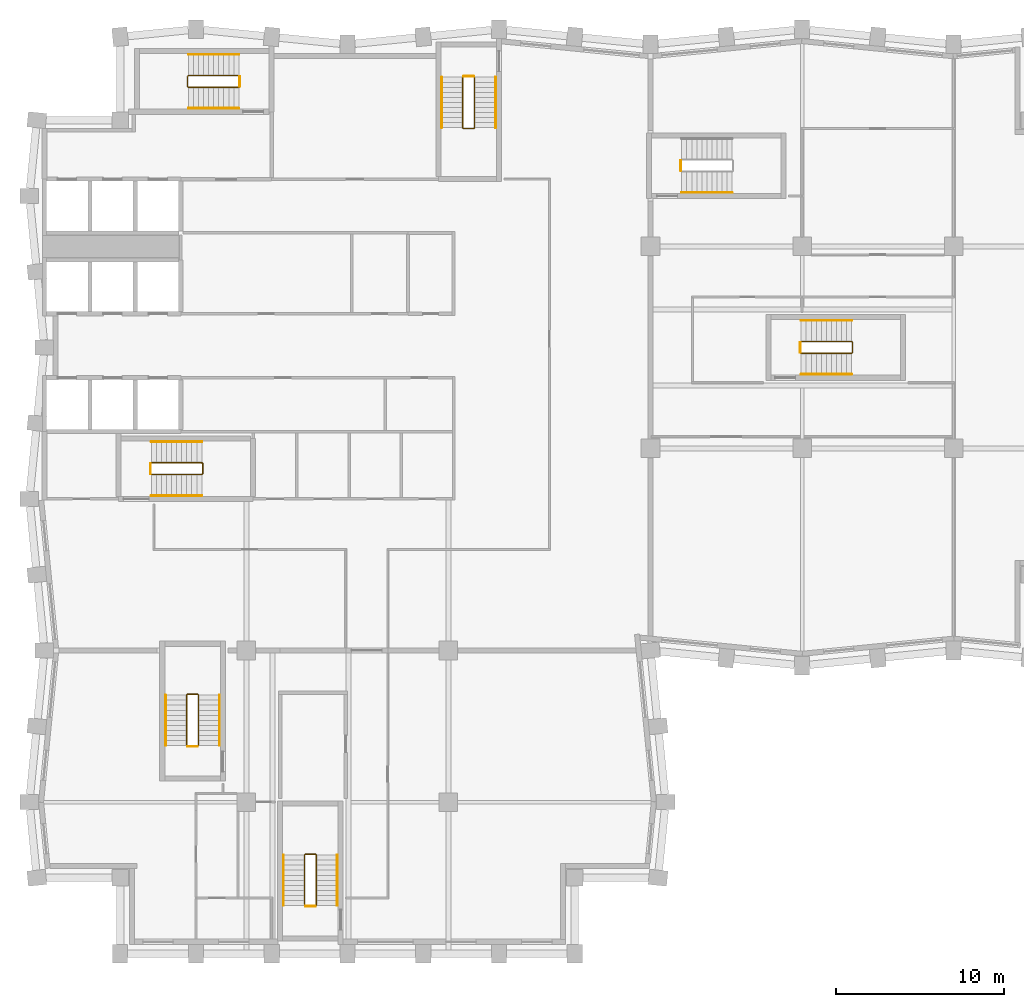
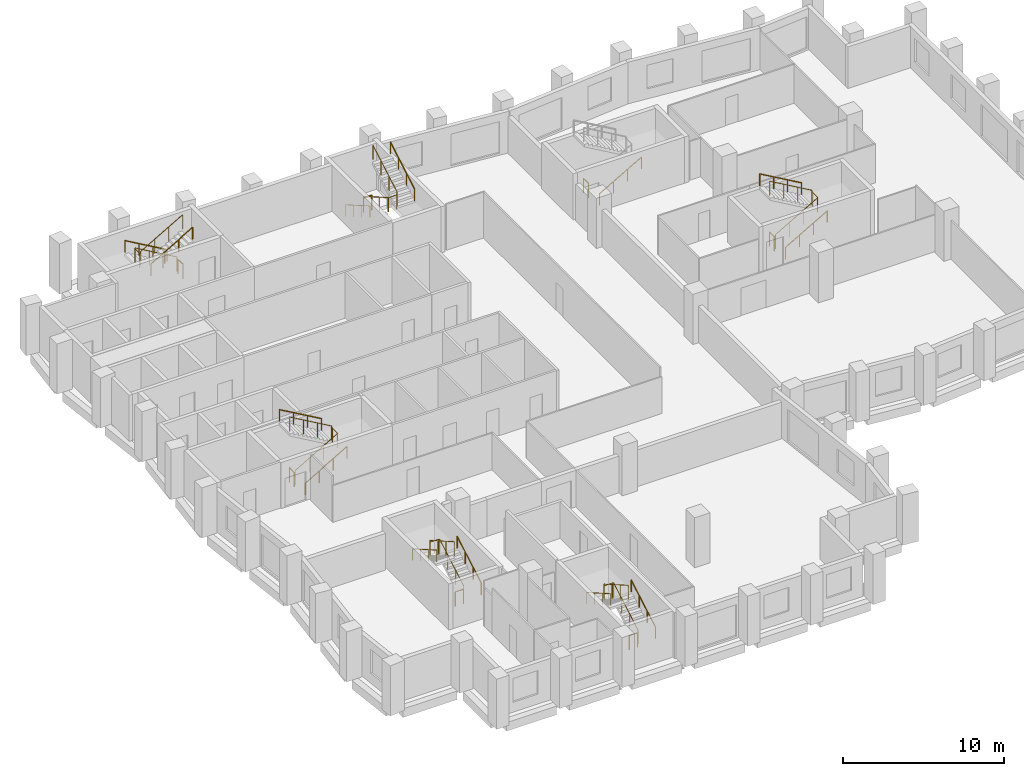
# One storey, part 9 of 10: 26 railings.
"""IFC4 building model written with IfcOpenShell, lengths in metres."""

from ifc_helpers import new_model, si_unit, direction, frame, origin, origin_2d, place, context, subcontext, project, spatial, circle, extrude, material, type_object, element, save


model = new_model("IFC4")

# Units and contexts
model_context = context("Model", 3, precision=1e-05, world=origin(), true_north=direction((0.0, 1.0)))
body_context = subcontext(model_context, "Body", "Model", "MODEL_VIEW")
ifc_project = project(units=[si_unit("LENGTHUNIT", "METRE"), si_unit("AREAUNIT", "SQUARE_METRE"), si_unit("VOLUMEUNIT", "CUBIC_METRE"), si_unit("PLANEANGLEUNIT", "RADIAN"), si_unit("MASSUNIT", "GRAM", prefix="KILO")], contexts=[model_context])

# Site, building, storey
site_placement = place(None, origin())
site = spatial("IfcSite", under=ifc_project, at=site_placement, CompositionType="ELEMENT")
building_placement = place(site_placement, origin())
building = spatial("IfcBuilding", under=site, at=building_placement, Name="Brondeck Convention Tower", CompositionType="ELEMENT")
storey_placement = place(building_placement, frame((0.0, 0.0, 177.60009765625)))
storey = spatial("IfcBuildingStorey", under=building, at=storey_placement, Name="L43", CompositionType="ELEMENT", Elevation=177.60009765625)

# Railings
ifc_material = material(Name="Steel S355", Category="steel")
railing_type_1 = type_object("IfcRailingType", Name="Stair guard 1100", PredefinedType="GUARDRAIL", material=ifc_material)
railing_1_placement = place(storey_placement, frame((6.35009765625, 37.449951171875, 0.172607421875)))
element("IfcRailing", 1, at=railing_1_placement, inside=storey, type_object=railing_type_1, Name="L43 ST-1 stair guard 1", PredefinedType="GUARDRAIL", context=body_context, shape_type="SweptSolid", body=[
    extrude(circle(Radius=0.02392578125, at=origin_2d()), frame((0.0, 0.0, 1.076171875), z_axis=(0.866619684472, 0.0, 0.498969260062), x_axis=(0.0, 1.0, 0.0)), (0.0, 0.0, 1.0), 3.461669921875),
    extrude(circle(Radius=0.02392578125, at=origin_2d()), frame((3.0, 0.0, 2.80322265625), z_axis=(0.705375805398, 0.708833529934, 0.0), x_axis=(-0.708833529934, 0.705375805398, 0.0)), (0.0, 0.0, 1.0), 0.070556640625),
    extrude(circle(Radius=0.02392578125, at=origin_2d()), frame((3.0498046875, 0.050048828125, 2.80322265625), z_axis=(0.0, 1.0, 0.0), x_axis=(-1.0, 0.0, 0.0)), (0.0, 0.0, 1.0), 0.60009765625),
    extrude(circle(Radius=0.02392578125, at=origin_2d()), frame((3.0498046875, 0.650146484375, 2.80322265625), z_axis=(-0.26715648603, 0.26715648603, 0.925880566782), x_axis=(-0.707106781187, -0.707106781187, 0.0)), (0.0, 0.0, 1.0), 0.1865234375),
    extrude(circle(Radius=0.02392578125, at=origin_2d()), frame((3.0, 0.699951171875, 2.97607421875), z_axis=(-0.866619684472, 0.0, 0.498969260062), x_axis=(0.0, -1.0, 0.0)), (0.0, 0.0, 1.0), 3.461669921875),
    extrude(circle(Radius=0.02099609375, at=origin_2d()), origin(), (0.0, 0.0, 1.0), 1.052001953125),
    extrude(circle(Radius=0.02099609375, at=origin_2d()), frame((1.0, 0.0, 0.57568359375)), (0.0, 0.0, 1.0), 1.052001953125),
    extrude(circle(Radius=0.02099609375, at=origin_2d()), frame((2.0, 0.0, 1.151611328125)), (0.0, 0.0, 1.0), 1.052001953125),
    extrude(circle(Radius=0.02099609375, at=origin_2d()), frame((3.0, 0.0, 1.727294921875)), (0.0, 0.0, 1.0), 1.052001953125),
    extrude(circle(Radius=0.02099609375, at=origin_2d()), frame((3.0498046875, 0.050048828125, 1.727294921875)), (0.0, 0.0, 1.0), 1.052001953125),
    extrude(circle(Radius=0.02099609375, at=origin_2d()), frame((3.0498046875, 0.650146484375, 1.727294921875)), (0.0, 0.0, 1.0), 1.052001953125),
    extrude(circle(Radius=0.02099609375, at=origin_2d()), frame((3.0, 0.699951171875, 1.89990234375)), (0.0, 0.0, 1.0), 1.052001953125),
    extrude(circle(Radius=0.02099609375, at=origin_2d()), frame((2.0, 0.699951171875, 2.4755859375)), (0.0, 0.0, 1.0), 1.052001953125),
    extrude(circle(Radius=0.02099609375, at=origin_2d()), frame((1.0, 0.699951171875, 3.051513671875)), (0.0, 0.0, 1.0), 1.052001953125),
    extrude(circle(Radius=0.02099609375, at=origin_2d()), frame((0.0, 0.699951171875, 3.627197265625)), (0.0, 0.0, 1.0), 1.052001953125),
])
railing_2_placement = place(storey_placement, frame((6.300048828125, 37.5, 0.0)))
element("IfcRailing", 2, at=railing_2_placement, inside=storey, type_object=railing_type_1, Name="L43 ST-1 stair guard 2", PredefinedType="GUARDRAIL", context=body_context, shape_type="SweptSolid", body=[
    extrude(circle(Radius=0.02392578125, at=origin_2d()), frame((0.0, 0.0, 1.076171875), z_axis=(0.0, 1.0, 0.0), x_axis=(-1.0, 0.0, 0.0)), (0.0, 0.0, 1.0), 0.60009765625),
    extrude(circle(Radius=0.02099609375, at=origin_2d()), origin(), (0.0, 0.0, 1.0), 1.052001953125),
    extrude(circle(Radius=0.02099609375, at=origin_2d()), frame((0.0, 0.60009765625, 0.0)), (0.0, 0.0, 1.0), 1.052001953125),
])
railing_3_placement = place(storey_placement, frame((24.85009765625, 61.050048828125, 0.172607421875)))
element("IfcRailing", 3, at=railing_3_placement, inside=storey, type_object=railing_type_1, Name="L43 ST-2 stair guard 1", PredefinedType="GUARDRAIL", context=body_context, shape_type="SweptSolid", body=[
    extrude(circle(Radius=0.02392578125, at=origin_2d()), frame((0.0, 0.0, 1.076171875), z_axis=(0.0, -0.866619684472, 0.498969260062), x_axis=(1.0, 0.0, 0.0)), (0.0, 0.0, 1.0), 3.461669921875),
    extrude(circle(Radius=0.02392578125, at=origin_2d()), frame((0.0, -3.0, 2.80322265625), z_axis=(0.705375805398, -0.708833529934, 0.0), x_axis=(0.708833529934, 0.705375805398, 0.0)), (0.0, 0.0, 1.0), 0.070556640625),
    extrude(circle(Radius=0.02392578125, at=origin_2d()), frame((0.0498046875, -3.050048828125, 2.80322265625), z_axis=(1.0, 0.0, 0.0), x_axis=(0.0, 1.0, 0.0)), (0.0, 0.0, 1.0), 0.60009765625),
    extrude(circle(Radius=0.02392578125, at=origin_2d()), frame((0.64990234375, -3.050048828125, 2.80322265625), z_axis=(0.268277960024, 0.268277960024, 0.925231793839), x_axis=(-0.707106781187, 0.707106781187, 0.0)), (0.0, 0.0, 1.0), 0.1865234375),
    extrude(circle(Radius=0.02392578125, at=origin_2d()), frame((0.699951171875, -3.0, 2.97607421875), z_axis=(0.0, 0.866619684472, 0.498969260062), x_axis=(-1.0, 0.0, 0.0)), (0.0, 0.0, 1.0), 3.461669921875),
    extrude(circle(Radius=0.02099609375, at=origin_2d()), origin(), (0.0, 0.0, 1.0), 1.052001953125),
    extrude(circle(Radius=0.02099609375, at=origin_2d()), frame((0.0, -1.0, 0.57568359375)), (0.0, 0.0, 1.0), 1.052001953125),
    extrude(circle(Radius=0.02099609375, at=origin_2d()), frame((0.0, -2.0, 1.151611328125)), (0.0, 0.0, 1.0), 1.052001953125),
    extrude(circle(Radius=0.02099609375, at=origin_2d()), frame((0.0, -3.0, 1.727294921875)), (0.0, 0.0, 1.0), 1.052001953125),
    extrude(circle(Radius=0.02099609375, at=origin_2d()), frame((0.0498046875, -3.050048828125, 1.727294921875)), (0.0, 0.0, 1.0), 1.052001953125),
    extrude(circle(Radius=0.02099609375, at=origin_2d()), frame((0.64990234375, -3.050048828125, 1.727294921875)), (0.0, 0.0, 1.0), 1.052001953125),
    extrude(circle(Radius=0.02099609375, at=origin_2d()), frame((0.699951171875, -3.0, 1.89990234375)), (0.0, 0.0, 1.0), 1.052001953125),
    extrude(circle(Radius=0.02099609375, at=origin_2d()), frame((0.699951171875, -2.0, 2.4755859375)), (0.0, 0.0, 1.0), 1.052001953125),
    extrude(circle(Radius=0.02099609375, at=origin_2d()), frame((0.699951171875, -1.0, 3.051513671875)), (0.0, 0.0, 1.0), 1.052001953125),
    extrude(circle(Radius=0.02099609375, at=origin_2d()), frame((0.699951171875, 0.0, 3.627197265625)), (0.0, 0.0, 1.0), 1.052001953125),
])
railing_4_placement = place(storey_placement, frame((24.89990234375, 61.10009765625, 0.0)))
element("IfcRailing", 4, at=railing_4_placement, inside=storey, type_object=railing_type_1, Name="L43 ST-2 stair guard 2", PredefinedType="GUARDRAIL", context=body_context, shape_type="SweptSolid", body=[
    extrude(circle(Radius=0.02392578125, at=origin_2d()), frame((0.0, 0.0, 1.076171875), z_axis=(1.0, 0.0, 0.0), x_axis=(0.0, 1.0, 0.0)), (0.0, 0.0, 1.0), 0.60009765625),
    extrude(circle(Radius=0.02099609375, at=origin_2d()), origin(), (0.0, 0.0, 1.0), 1.052001953125),
    extrude(circle(Radius=0.02099609375, at=origin_2d()), frame((0.60009765625, 0.0, 0.0)), (0.0, 0.0, 1.0), 1.052001953125),
])
railing_5_placement = place(storey_placement, frame((11.550048828125, 61.14990234375, 0.172607421875)))
element("IfcRailing", 5, at=railing_5_placement, inside=storey, type_object=railing_type_1, Name="L43 ST-3 stair guard 1", PredefinedType="GUARDRAIL", context=body_context, shape_type="SweptSolid", body=[
    extrude(circle(Radius=0.02392578125, at=origin_2d()), frame((0.0, 0.0, 1.076171875), z_axis=(-0.866619684472, 0.0, 0.498969260062), x_axis=(0.0, -1.0, 0.0)), (0.0, 0.0, 1.0), 3.461669921875),
    extrude(circle(Radius=0.02392578125, at=origin_2d()), frame((-3.0, 0.0, 2.80322265625), z_axis=(-0.708833529934, -0.705375805398, 0.0), x_axis=(0.705375805398, -0.708833529934, 0.0)), (0.0, 0.0, 1.0), 0.070556640625),
    extrude(circle(Radius=0.02392578125, at=origin_2d()), frame((-3.050048828125, -0.0498046875, 2.80322265625), z_axis=(0.0, -1.0, 0.0), x_axis=(1.0, 0.0, 0.0)), (0.0, 0.0, 1.0), 0.60009765625),
    extrude(circle(Radius=0.02392578125, at=origin_2d()), frame((-3.050048828125, -0.64990234375, 2.80322265625), z_axis=(0.268277960024, -0.268277960024, 0.925231793839), x_axis=(0.707106781187, 0.707106781187, 0.0)), (0.0, 0.0, 1.0), 0.1865234375),
    extrude(circle(Radius=0.02392578125, at=origin_2d()), frame((-3.0, -0.699951171875, 2.97607421875), z_axis=(0.866619684472, 0.0, 0.498969260062), x_axis=(0.0, 1.0, 0.0)), (0.0, 0.0, 1.0), 3.461669921875),
    extrude(circle(Radius=0.02099609375, at=origin_2d()), origin(), (0.0, 0.0, 1.0), 1.052001953125),
    extrude(circle(Radius=0.02099609375, at=origin_2d()), frame((-1.0, 0.0, 0.57568359375)), (0.0, 0.0, 1.0), 1.052001953125),
    extrude(circle(Radius=0.02099609375, at=origin_2d()), frame((-2.0, 0.0, 1.151611328125)), (0.0, 0.0, 1.0), 1.052001953125),
    extrude(circle(Radius=0.02099609375, at=origin_2d()), frame((-3.0, 0.0, 1.727294921875)), (0.0, 0.0, 1.0), 1.052001953125),
    extrude(circle(Radius=0.02099609375, at=origin_2d()), frame((-3.050048828125, -0.0498046875, 1.727294921875)), (0.0, 0.0, 1.0), 1.052001953125),
    extrude(circle(Radius=0.02099609375, at=origin_2d()), frame((-3.050048828125, -0.64990234375, 1.727294921875)), (0.0, 0.0, 1.0), 1.052001953125),
    extrude(circle(Radius=0.02099609375, at=origin_2d()), frame((-3.0, -0.699951171875, 1.89990234375)), (0.0, 0.0, 1.0), 1.052001953125),
    extrude(circle(Radius=0.02099609375, at=origin_2d()), frame((-2.0, -0.699951171875, 2.4755859375)), (0.0, 0.0, 1.0), 1.052001953125),
    extrude(circle(Radius=0.02099609375, at=origin_2d()), frame((-1.0, -0.699951171875, 3.051513671875)), (0.0, 0.0, 1.0), 1.052001953125),
    extrude(circle(Radius=0.02099609375, at=origin_2d()), frame((0.0, -0.699951171875, 3.627197265625)), (0.0, 0.0, 1.0), 1.052001953125),
])
railing_6_placement = place(storey_placement, frame((11.60009765625, 61.10009765625, 0.0)))
element("IfcRailing", 6, at=railing_6_placement, inside=storey, type_object=railing_type_1, Name="L43 ST-3 stair guard 2", PredefinedType="GUARDRAIL", context=body_context, shape_type="SweptSolid", body=[
    extrude(circle(Radius=0.02392578125, at=origin_2d()), frame((0.0, 0.0, 1.076171875), z_axis=(0.0, -1.0, 0.0), x_axis=(1.0, 0.0, 0.0)), (0.0, 0.0, 1.0), 0.60009765625),
    extrude(circle(Radius=0.02099609375, at=origin_2d()), origin(), (0.0, 0.0, 1.0), 1.052001953125),
    extrude(circle(Radius=0.02099609375, at=origin_2d()), frame((0.0, -0.60009765625, 0.0)), (0.0, 0.0, 1.0), 1.052001953125),
])
railing_7_placement = place(storey_placement, frame((37.800048828125, 55.5, 0.0)))
element("IfcRailing", 7, at=railing_7_placement, inside=storey, type_object=railing_type_1, Name="L43 ST-AE stair guard 2", PredefinedType="GUARDRAIL", context=body_context, shape_type="SweptSolid", body=[
    extrude(circle(Radius=0.02392578125, at=origin_2d()), frame((0.0, 0.0, 1.076171875), z_axis=(0.0, 1.0, 0.0), x_axis=(-1.0, 0.0, 0.0)), (0.0, 0.0, 1.0), 0.60009765625),
    extrude(circle(Radius=0.02099609375, at=origin_2d()), origin(), (0.0, 0.0, 1.0), 1.052001953125),
    extrude(circle(Radius=0.02099609375, at=origin_2d()), frame((0.0, 0.60009765625, 0.0)), (0.0, 0.0, 1.0), 1.052001953125),
])
railing_8_placement = place(storey_placement, frame((9.14990234375, 21.35009765625, 0.172607421875)))
element("IfcRailing", 8, at=railing_8_placement, inside=storey, type_object=railing_type_1, Name="L43 ST-BE stair guard 1", PredefinedType="GUARDRAIL", context=body_context, shape_type="SweptSolid", body=[
    extrude(circle(Radius=0.02392578125, at=origin_2d()), frame((0.0, 0.0, 1.076171875), z_axis=(0.0, 0.866619684472, 0.498969260062), x_axis=(-1.0, 0.0, 0.0)), (0.0, 0.0, 1.0), 3.461669921875),
    extrude(circle(Radius=0.02392578125, at=origin_2d()), frame((0.0, 3.0, 2.80322265625), z_axis=(-0.707106781187, 0.707106781187, 0.0), x_axis=(-0.707106781187, -0.707106781187, 0.0)), (0.0, 0.0, 1.0), 0.0703125),
    extrude(circle(Radius=0.02392578125, at=origin_2d()), frame((-0.0498046875, 3.0498046875, 2.80322265625), z_axis=(-1.0, 0.0, 0.0), x_axis=(0.0, -1.0, 0.0)), (0.0, 0.0, 1.0), 0.60009765625),
    extrude(circle(Radius=0.02392578125, at=origin_2d()), frame((-0.64990234375, 3.0498046875, 2.80322265625), z_axis=(-0.268371968888, -0.267062837333, 0.925556009775), x_axis=(0.705375805398, -0.708833529934, 0.0)), (0.0, 0.0, 1.0), 0.1865234375),
    extrude(circle(Radius=0.02392578125, at=origin_2d()), frame((-0.699951171875, 3.0, 2.97607421875), z_axis=(0.0, -0.866619684472, 0.498969260062), x_axis=(1.0, 0.0, 0.0)), (0.0, 0.0, 1.0), 3.461669921875),
    extrude(circle(Radius=0.02099609375, at=origin_2d()), origin(), (0.0, 0.0, 1.0), 1.052001953125),
    extrude(circle(Radius=0.02099609375, at=origin_2d()), frame((0.0, 1.0, 0.57568359375)), (0.0, 0.0, 1.0), 1.052001953125),
    extrude(circle(Radius=0.02099609375, at=origin_2d()), frame((0.0, 2.0, 1.151611328125)), (0.0, 0.0, 1.0), 1.052001953125),
    extrude(circle(Radius=0.02099609375, at=origin_2d()), frame((0.0, 3.0, 1.727294921875)), (0.0, 0.0, 1.0), 1.052001953125),
    extrude(circle(Radius=0.02099609375, at=origin_2d()), frame((-0.0498046875, 3.0498046875, 1.727294921875)), (0.0, 0.0, 1.0), 1.052001953125),
    extrude(circle(Radius=0.02099609375, at=origin_2d()), frame((-0.64990234375, 3.0498046875, 1.727294921875)), (0.0, 0.0, 1.0), 1.052001953125),
    extrude(circle(Radius=0.02099609375, at=origin_2d()), frame((-0.699951171875, 3.0, 1.89990234375)), (0.0, 0.0, 1.0), 1.052001953125),
    extrude(circle(Radius=0.02099609375, at=origin_2d()), frame((-0.699951171875, 2.0, 2.4755859375)), (0.0, 0.0, 1.0), 1.052001953125),
    extrude(circle(Radius=0.02099609375, at=origin_2d()), frame((-0.699951171875, 1.0, 3.051513671875)), (0.0, 0.0, 1.0), 1.052001953125),
    extrude(circle(Radius=0.02099609375, at=origin_2d()), frame((-0.699951171875, 0.0, 3.627197265625)), (0.0, 0.0, 1.0), 1.052001953125),
])
railing_9_placement = place(storey_placement, frame((9.10009765625, 21.300048828125, 0.0)))
element("IfcRailing", 9, at=railing_9_placement, inside=storey, type_object=railing_type_1, Name="L43 ST-BE stair guard 2", PredefinedType="GUARDRAIL", context=body_context, shape_type="SweptSolid", body=[
    extrude(circle(Radius=0.02392578125, at=origin_2d()), frame((0.0, 0.0, 1.076171875), z_axis=(-1.0, 0.0, 0.0), x_axis=(0.0, -1.0, 0.0)), (0.0, 0.0, 1.0), 0.60009765625),
    extrude(circle(Radius=0.02099609375, at=origin_2d()), origin(), (0.0, 0.0, 1.0), 1.052001953125),
    extrude(circle(Radius=0.02099609375, at=origin_2d()), frame((-0.60009765625, 0.0, 0.0)), (0.0, 0.0, 1.0), 1.052001953125),
])
railing_10_placement = place(storey_placement, frame((44.949951171875, 44.64990234375, 0.172607421875)))
element("IfcRailing", 10, at=railing_10_placement, inside=storey, type_object=railing_type_1, Name="L43 ST-AF stair guard 1", PredefinedType="GUARDRAIL", context=body_context, shape_type="SweptSolid", body=[
    extrude(circle(Radius=0.02392578125, at=origin_2d()), frame((0.0, 0.0, 1.076171875), z_axis=(0.866619684472, 0.0, 0.498969260062), x_axis=(0.0, 1.0, 0.0)), (0.0, 0.0, 1.0), 3.461669921875),
    extrude(circle(Radius=0.02392578125, at=origin_2d()), frame((3.0, 0.0, 2.80322265625), z_axis=(0.707106781187, 0.707106781187, 0.0), x_axis=(-0.707106781187, 0.707106781187, 0.0)), (0.0, 0.0, 1.0), 0.07080078125),
    extrude(circle(Radius=0.02392578125, at=origin_2d()), frame((3.050048828125, 0.050048828125, 2.80322265625), z_axis=(0.0, 1.0, 0.0), x_axis=(-1.0, 0.0, 0.0)), (0.0, 0.0, 1.0), 0.60009765625),
    extrude(circle(Radius=0.02392578125, at=origin_2d()), frame((3.050048828125, 0.650146484375, 2.80322265625), z_axis=(-0.268277960024, 0.268277960024, 0.925231793839), x_axis=(-0.707106781187, -0.707106781187, 0.0)), (0.0, 0.0, 1.0), 0.1865234375),
    extrude(circle(Radius=0.02392578125, at=origin_2d()), frame((3.0, 0.7001953125, 2.97607421875), z_axis=(-0.866619684472, 0.0, 0.498969260062), x_axis=(0.0, -1.0, 0.0)), (0.0, 0.0, 1.0), 3.461669921875),
    extrude(circle(Radius=0.02099609375, at=origin_2d()), origin(), (0.0, 0.0, 1.0), 1.052001953125),
    extrude(circle(Radius=0.02099609375, at=origin_2d()), frame((1.0, 0.0, 0.57568359375)), (0.0, 0.0, 1.0), 1.052001953125),
    extrude(circle(Radius=0.02099609375, at=origin_2d()), frame((2.0, 0.0, 1.151611328125)), (0.0, 0.0, 1.0), 1.052001953125),
    extrude(circle(Radius=0.02099609375, at=origin_2d()), frame((3.0, 0.0, 1.727294921875)), (0.0, 0.0, 1.0), 1.052001953125),
    extrude(circle(Radius=0.02099609375, at=origin_2d()), frame((3.050048828125, 0.050048828125, 1.727294921875)), (0.0, 0.0, 1.0), 1.052001953125),
    extrude(circle(Radius=0.02099609375, at=origin_2d()), frame((3.050048828125, 0.650146484375, 1.727294921875)), (0.0, 0.0, 1.0), 1.052001953125),
    extrude(circle(Radius=0.02099609375, at=origin_2d()), frame((3.0, 0.7001953125, 1.89990234375)), (0.0, 0.0, 1.0), 1.052001953125),
    extrude(circle(Radius=0.02099609375, at=origin_2d()), frame((2.0, 0.7001953125, 2.4755859375)), (0.0, 0.0, 1.0), 1.052001953125),
    extrude(circle(Radius=0.02099609375, at=origin_2d()), frame((1.0, 0.7001953125, 3.051513671875)), (0.0, 0.0, 1.0), 1.052001953125),
    extrude(circle(Radius=0.02099609375, at=origin_2d()), frame((0.0, 0.7001953125, 3.627197265625)), (0.0, 0.0, 1.0), 1.052001953125),
])
railing_11_placement = place(storey_placement, frame((44.89990234375, 44.699951171875, 0.0)))
element("IfcRailing", 11, at=railing_11_placement, inside=storey, type_object=railing_type_1, Name="L43 ST-AF stair guard 2", PredefinedType="GUARDRAIL", context=body_context, shape_type="SweptSolid", body=[
    extrude(circle(Radius=0.02392578125, at=origin_2d()), frame((0.0, 0.0, 1.076171875), z_axis=(0.0, 1.0, 0.0), x_axis=(-1.0, 0.0, 0.0)), (0.0, 0.0, 1.0), 0.60009765625),
    extrude(circle(Radius=0.02099609375, at=origin_2d()), origin(), (0.0, 0.0, 1.0), 1.052001953125),
    extrude(circle(Radius=0.02099609375, at=origin_2d()), frame((0.0, 0.60009765625, 0.0)), (0.0, 0.0, 1.0), 1.052001953125),
])
railing_12_placement = place(storey_placement, frame((16.14990234375, 11.85009765625, 0.172607421875)))
element("IfcRailing", 12, at=railing_12_placement, inside=storey, type_object=railing_type_1, Name="L43 ST-BF stair guard 1", PredefinedType="GUARDRAIL", context=body_context, shape_type="SweptSolid", body=[
    extrude(circle(Radius=0.02392578125, at=origin_2d()), frame((0.0, 0.0, 1.076171875), z_axis=(0.0, 0.866619684472, 0.498969260062), x_axis=(-1.0, 0.0, 0.0)), (0.0, 0.0, 1.0), 3.461669921875),
    extrude(circle(Radius=0.02392578125, at=origin_2d()), frame((0.0, 3.0, 2.80322265625), z_axis=(-0.707106781187, 0.707106781187, 0.0), x_axis=(-0.707106781187, -0.707106781187, 0.0)), (0.0, 0.0, 1.0), 0.0703125),
    extrude(circle(Radius=0.02392578125, at=origin_2d()), frame((-0.0498046875, 3.0498046875, 2.80322265625), z_axis=(-1.0, 0.0, 0.0), x_axis=(0.0, -1.0, 0.0)), (0.0, 0.0, 1.0), 0.60009765625),
    extrude(circle(Radius=0.02392578125, at=origin_2d()), frame((-0.64990234375, 3.0498046875, 2.80322265625), z_axis=(-0.268371968888, -0.267062837333, 0.925556009775), x_axis=(0.705375805398, -0.708833529934, 0.0)), (0.0, 0.0, 1.0), 0.1865234375),
    extrude(circle(Radius=0.02392578125, at=origin_2d()), frame((-0.699951171875, 3.0, 2.97607421875), z_axis=(0.0, -0.866619684472, 0.498969260062), x_axis=(1.0, 0.0, 0.0)), (0.0, 0.0, 1.0), 3.461669921875),
    extrude(circle(Radius=0.02099609375, at=origin_2d()), origin(), (0.0, 0.0, 1.0), 1.052001953125),
    extrude(circle(Radius=0.02099609375, at=origin_2d()), frame((0.0, 1.0, 0.57568359375)), (0.0, 0.0, 1.0), 1.052001953125),
    extrude(circle(Radius=0.02099609375, at=origin_2d()), frame((0.0, 2.0, 1.151611328125)), (0.0, 0.0, 1.0), 1.052001953125),
    extrude(circle(Radius=0.02099609375, at=origin_2d()), frame((0.0, 3.0, 1.727294921875)), (0.0, 0.0, 1.0), 1.052001953125),
    extrude(circle(Radius=0.02099609375, at=origin_2d()), frame((-0.0498046875, 3.0498046875, 1.727294921875)), (0.0, 0.0, 1.0), 1.052001953125),
    extrude(circle(Radius=0.02099609375, at=origin_2d()), frame((-0.64990234375, 3.0498046875, 1.727294921875)), (0.0, 0.0, 1.0), 1.052001953125),
    extrude(circle(Radius=0.02099609375, at=origin_2d()), frame((-0.699951171875, 3.0, 1.89990234375)), (0.0, 0.0, 1.0), 1.052001953125),
    extrude(circle(Radius=0.02099609375, at=origin_2d()), frame((-0.699951171875, 2.0, 2.4755859375)), (0.0, 0.0, 1.0), 1.052001953125),
    extrude(circle(Radius=0.02099609375, at=origin_2d()), frame((-0.699951171875, 1.0, 3.051513671875)), (0.0, 0.0, 1.0), 1.052001953125),
    extrude(circle(Radius=0.02099609375, at=origin_2d()), frame((-0.699951171875, 0.0, 3.627197265625)), (0.0, 0.0, 1.0), 1.052001953125),
])
railing_13_placement = place(storey_placement, frame((16.10009765625, 11.800048828125, 0.0)))
element("IfcRailing", 13, at=railing_13_placement, inside=storey, type_object=railing_type_1, Name="L43 ST-BF stair guard 2", PredefinedType="GUARDRAIL", context=body_context, shape_type="SweptSolid", body=[
    extrude(circle(Radius=0.02392578125, at=origin_2d()), frame((0.0, 0.0, 1.076171875), z_axis=(-1.0, 0.0, 0.0), x_axis=(0.0, -1.0, 0.0)), (0.0, 0.0, 1.0), 0.60009765625),
    extrude(circle(Radius=0.02099609375, at=origin_2d()), origin(), (0.0, 0.0, 1.0), 1.052001953125),
    extrude(circle(Radius=0.02099609375, at=origin_2d()), frame((-0.60009765625, 0.0, 0.0)), (0.0, 0.0, 1.0), 1.052001953125),
])
railing_type_2 = type_object("IfcRailingType", Name="Stair handrail", PredefinedType="HANDRAIL", material=ifc_material)
railing_14_placement = place(storey_placement, frame((6.35009765625, 36.199951171875, 0.172607421875)))
element("IfcRailing", 14, at=railing_14_placement, inside=storey, type_object=railing_type_2, Name="L43 ST-1 stair handrail 1", PredefinedType="HANDRAIL", context=body_context, shape_type="SweptSolid", body=[
    extrude(circle(Radius=0.02392578125, at=origin_2d()), frame((0.0, 0.0, 0.8759765625), z_axis=(0.866619684472, 0.0, 0.498969260062), x_axis=(0.0, 1.0, 0.0)), (0.0, 0.0, 1.0), 3.461669921875),
    extrude(circle(Radius=0.02099609375, at=origin_2d()), origin(), (0.0, 0.0, 1.0), 0.851806640625),
    extrude(circle(Radius=0.02099609375, at=origin_2d()), frame((1.0, 0.0, 0.57568359375)), (0.0, 0.0, 1.0), 0.851806640625),
    extrude(circle(Radius=0.02099609375, at=origin_2d()), frame((2.0, 0.0, 1.151611328125)), (0.0, 0.0, 1.0), 0.851806640625),
    extrude(circle(Radius=0.02099609375, at=origin_2d()), frame((3.0, 0.0, 1.727294921875)), (0.0, 0.0, 1.0), 0.851806640625),
])
railing_15_placement = place(storey_placement, frame((9.35009765625, 39.39990234375, 2.072509765625)))
element("IfcRailing", 15, at=railing_15_placement, inside=storey, type_object=railing_type_2, Name="L43 ST-1 stair handrail 2", PredefinedType="HANDRAIL", context=body_context, shape_type="SweptSolid", body=[
    extrude(circle(Radius=0.02392578125, at=origin_2d()), frame((0.0, 0.0, 0.8759765625), z_axis=(-0.866619684472, 0.0, 0.498969260062), x_axis=(0.0, -1.0, 0.0)), (0.0, 0.0, 1.0), 3.461669921875),
    extrude(circle(Radius=0.02099609375, at=origin_2d()), origin(), (0.0, 0.0, 1.0), 0.851806640625),
    extrude(circle(Radius=0.02099609375, at=origin_2d()), frame((-1.0, 0.0, 0.57568359375)), (0.0, 0.0, 1.0), 0.851806640625),
    extrude(circle(Radius=0.02099609375, at=origin_2d()), frame((-2.0, 0.0, 1.151611328125)), (0.0, 0.0, 1.0), 0.851806640625),
    extrude(circle(Radius=0.02099609375, at=origin_2d()), frame((-3.0, 0.0, 1.727294921875)), (0.0, 0.0, 1.0), 0.851806640625),
])
railing_16_placement = place(storey_placement, frame((23.60009765625, 61.050048828125, 0.172607421875)))
element("IfcRailing", 16, at=railing_16_placement, inside=storey, type_object=railing_type_2, Name="L43 ST-2 stair handrail 1", PredefinedType="HANDRAIL", context=body_context, shape_type="SweptSolid", body=[
    extrude(circle(Radius=0.02392578125, at=origin_2d()), frame((0.0, 0.0, 0.8759765625), z_axis=(0.0, -0.866619684472, 0.498969260062), x_axis=(1.0, 0.0, 0.0)), (0.0, 0.0, 1.0), 3.461669921875),
    extrude(circle(Radius=0.02099609375, at=origin_2d()), origin(), (0.0, 0.0, 1.0), 0.851806640625),
    extrude(circle(Radius=0.02099609375, at=origin_2d()), frame((0.0, -1.0, 0.57568359375)), (0.0, 0.0, 1.0), 0.851806640625),
    extrude(circle(Radius=0.02099609375, at=origin_2d()), frame((0.0, -2.0, 1.151611328125)), (0.0, 0.0, 1.0), 0.851806640625),
    extrude(circle(Radius=0.02099609375, at=origin_2d()), frame((0.0, -3.0, 1.727294921875)), (0.0, 0.0, 1.0), 0.851806640625),
])
railing_17_placement = place(storey_placement, frame((26.800048828125, 58.050048828125, 2.072509765625)))
element("IfcRailing", 17, at=railing_17_placement, inside=storey, type_object=railing_type_2, Name="L43 ST-2 stair handrail 2", PredefinedType="HANDRAIL", context=body_context, shape_type="SweptSolid", body=[
    extrude(circle(Radius=0.02392578125, at=origin_2d()), frame((0.0, 0.0, 0.8759765625), z_axis=(0.0, 0.866619684472, 0.498969260062), x_axis=(-1.0, 0.0, 0.0)), (0.0, 0.0, 1.0), 3.461669921875),
    extrude(circle(Radius=0.02099609375, at=origin_2d()), origin(), (0.0, 0.0, 1.0), 0.851806640625),
    extrude(circle(Radius=0.02099609375, at=origin_2d()), frame((0.0, 1.0, 0.57568359375)), (0.0, 0.0, 1.0), 0.851806640625),
    extrude(circle(Radius=0.02099609375, at=origin_2d()), frame((0.0, 2.0, 1.151611328125)), (0.0, 0.0, 1.0), 0.851806640625),
    extrude(circle(Radius=0.02099609375, at=origin_2d()), frame((0.0, 3.0, 1.727294921875)), (0.0, 0.0, 1.0), 0.851806640625),
])
railing_18_placement = place(storey_placement, frame((11.550048828125, 62.39990234375, 0.172607421875)))
element("IfcRailing", 18, at=railing_18_placement, inside=storey, type_object=railing_type_2, Name="L43 ST-3 stair handrail 1", PredefinedType="HANDRAIL", context=body_context, shape_type="SweptSolid", body=[
    extrude(circle(Radius=0.02392578125, at=origin_2d()), frame((0.0, 0.0, 0.8759765625), z_axis=(-0.866619684472, 0.0, 0.498969260062), x_axis=(0.0, -1.0, 0.0)), (0.0, 0.0, 1.0), 3.461669921875),
    extrude(circle(Radius=0.02099609375, at=origin_2d()), origin(), (0.0, 0.0, 1.0), 0.851806640625),
    extrude(circle(Radius=0.02099609375, at=origin_2d()), frame((-1.0, 0.0, 0.57568359375)), (0.0, 0.0, 1.0), 0.851806640625),
    extrude(circle(Radius=0.02099609375, at=origin_2d()), frame((-2.0, 0.0, 1.151611328125)), (0.0, 0.0, 1.0), 0.851806640625),
    extrude(circle(Radius=0.02099609375, at=origin_2d()), frame((-3.0, 0.0, 1.727294921875)), (0.0, 0.0, 1.0), 0.851806640625),
])
for number, where, name in (
    (19, (8.550048828125, 59.199951171875, 2.072509765625), "L43 ST-3 stair handrail 2"),
    (20, (37.85009765625, 54.199951171875, 0.172607421875), "L43 ST-AE stair handrail 1"),
):
    element("IfcRailing", number, at=place(storey_placement, frame(where)), inside=storey, type_object=railing_type_2, Name=name, PredefinedType="HANDRAIL", context=body_context, shape_type="SweptSolid", body=[
        extrude(circle(Radius=0.02392578125, at=origin_2d()), frame((0.0, 0.0, 0.8759765625), z_axis=(0.866619684472, 0.0, 0.498969260062), x_axis=(0.0, 1.0, 0.0)), (0.0, 0.0, 1.0), 3.461669921875),
        extrude(circle(Radius=0.02099609375, at=origin_2d()), origin(), (0.0, 0.0, 1.0), 0.851806640625),
        extrude(circle(Radius=0.02099609375, at=origin_2d()), frame((1.0, 0.0, 0.57568359375)), (0.0, 0.0, 1.0), 0.851806640625),
        extrude(circle(Radius=0.02099609375, at=origin_2d()), frame((2.0, 0.0, 1.151611328125)), (0.0, 0.0, 1.0), 0.851806640625),
        extrude(circle(Radius=0.02099609375, at=origin_2d()), frame((3.0, 0.0, 1.727294921875)), (0.0, 0.0, 1.0), 0.851806640625),
    ])
railing_19_placement = place(storey_placement, frame((10.39990234375, 21.35009765625, 0.172607421875)))
element("IfcRailing", 21, at=railing_19_placement, inside=storey, type_object=railing_type_2, Name="L43 ST-BE stair handrail 1", PredefinedType="HANDRAIL", context=body_context, shape_type="SweptSolid", body=[
    extrude(circle(Radius=0.02392578125, at=origin_2d()), frame((0.0, 0.0, 0.8759765625), z_axis=(0.0, 0.866619684472, 0.498969260062), x_axis=(-1.0, 0.0, 0.0)), (0.0, 0.0, 1.0), 3.461669921875),
    extrude(circle(Radius=0.02099609375, at=origin_2d()), origin(), (0.0, 0.0, 1.0), 0.851806640625),
    extrude(circle(Radius=0.02099609375, at=origin_2d()), frame((0.0, 1.0, 0.57568359375)), (0.0, 0.0, 1.0), 0.851806640625),
    extrude(circle(Radius=0.02099609375, at=origin_2d()), frame((0.0, 2.0, 1.151611328125)), (0.0, 0.0, 1.0), 0.851806640625),
    extrude(circle(Radius=0.02099609375, at=origin_2d()), frame((0.0, 3.0, 1.727294921875)), (0.0, 0.0, 1.0), 0.851806640625),
])
railing_20_placement = place(storey_placement, frame((7.199951171875, 24.35009765625, 2.072509765625)))
element("IfcRailing", 22, at=railing_20_placement, inside=storey, type_object=railing_type_2, Name="L43 ST-BE stair handrail 2", PredefinedType="HANDRAIL", context=body_context, shape_type="SweptSolid", body=[
    extrude(circle(Radius=0.02392578125, at=origin_2d()), frame((0.0, 0.0, 0.8759765625), z_axis=(0.0, -0.866619684472, 0.498969260062), x_axis=(1.0, 0.0, 0.0)), (0.0, 0.0, 1.0), 3.461669921875),
    extrude(circle(Radius=0.02099609375, at=origin_2d()), origin(), (0.0, 0.0, 1.0), 0.851806640625),
    extrude(circle(Radius=0.02099609375, at=origin_2d()), frame((0.0, -1.0, 0.57568359375)), (0.0, 0.0, 1.0), 0.851806640625),
    extrude(circle(Radius=0.02099609375, at=origin_2d()), frame((0.0, -2.0, 1.151611328125)), (0.0, 0.0, 1.0), 0.851806640625),
    extrude(circle(Radius=0.02099609375, at=origin_2d()), frame((0.0, -3.0, 1.727294921875)), (0.0, 0.0, 1.0), 0.851806640625),
])
railing_21_placement = place(storey_placement, frame((44.949951171875, 43.39990234375, 0.172607421875)))
element("IfcRailing", 23, at=railing_21_placement, inside=storey, type_object=railing_type_2, Name="L43 ST-AF stair handrail 1", PredefinedType="HANDRAIL", context=body_context, shape_type="SweptSolid", body=[
    extrude(circle(Radius=0.02392578125, at=origin_2d()), frame((0.0, 0.0, 0.8759765625), z_axis=(0.866619684472, 0.0, 0.498969260062), x_axis=(0.0, 1.0, 0.0)), (0.0, 0.0, 1.0), 3.461669921875),
    extrude(circle(Radius=0.02099609375, at=origin_2d()), origin(), (0.0, 0.0, 1.0), 0.851806640625),
    extrude(circle(Radius=0.02099609375, at=origin_2d()), frame((1.0, 0.0, 0.57568359375)), (0.0, 0.0, 1.0), 0.851806640625),
    extrude(circle(Radius=0.02099609375, at=origin_2d()), frame((2.0, 0.0, 1.151611328125)), (0.0, 0.0, 1.0), 0.851806640625),
    extrude(circle(Radius=0.02099609375, at=origin_2d()), frame((3.0, 0.0, 1.727294921875)), (0.0, 0.0, 1.0), 0.851806640625),
])
railing_22_placement = place(storey_placement, frame((47.949951171875, 46.60009765625, 2.072509765625)))
element("IfcRailing", 24, at=railing_22_placement, inside=storey, type_object=railing_type_2, Name="L43 ST-AF stair handrail 2", PredefinedType="HANDRAIL", context=body_context, shape_type="SweptSolid", body=[
    extrude(circle(Radius=0.02392578125, at=origin_2d()), frame((0.0, 0.0, 0.8759765625), z_axis=(-0.866619684472, 0.0, 0.498969260062), x_axis=(0.0, -1.0, 0.0)), (0.0, 0.0, 1.0), 3.461669921875),
    extrude(circle(Radius=0.02099609375, at=origin_2d()), origin(), (0.0, 0.0, 1.0), 0.851806640625),
    extrude(circle(Radius=0.02099609375, at=origin_2d()), frame((-1.0, 0.0, 0.57568359375)), (0.0, 0.0, 1.0), 0.851806640625),
    extrude(circle(Radius=0.02099609375, at=origin_2d()), frame((-2.0, 0.0, 1.151611328125)), (0.0, 0.0, 1.0), 0.851806640625),
    extrude(circle(Radius=0.02099609375, at=origin_2d()), frame((-3.0, 0.0, 1.727294921875)), (0.0, 0.0, 1.0), 0.851806640625),
])
railing_23_placement = place(storey_placement, frame((17.39990234375, 11.85009765625, 0.172607421875)))
element("IfcRailing", 25, at=railing_23_placement, inside=storey, type_object=railing_type_2, Name="L43 ST-BF stair handrail 1", PredefinedType="HANDRAIL", context=body_context, shape_type="SweptSolid", body=[
    extrude(circle(Radius=0.02392578125, at=origin_2d()), frame((0.0, 0.0, 0.8759765625), z_axis=(0.0, 0.866619684472, 0.498969260062), x_axis=(-1.0, 0.0, 0.0)), (0.0, 0.0, 1.0), 3.461669921875),
    extrude(circle(Radius=0.02099609375, at=origin_2d()), origin(), (0.0, 0.0, 1.0), 0.851806640625),
    extrude(circle(Radius=0.02099609375, at=origin_2d()), frame((0.0, 1.0, 0.57568359375)), (0.0, 0.0, 1.0), 0.851806640625),
    extrude(circle(Radius=0.02099609375, at=origin_2d()), frame((0.0, 2.0, 1.151611328125)), (0.0, 0.0, 1.0), 0.851806640625),
    extrude(circle(Radius=0.02099609375, at=origin_2d()), frame((0.0, 3.0, 1.727294921875)), (0.0, 0.0, 1.0), 0.851806640625),
])
railing_24_placement = place(storey_placement, frame((14.199951171875, 14.85009765625, 2.072509765625)))
element("IfcRailing", 26, at=railing_24_placement, inside=storey, type_object=railing_type_2, Name="L43 ST-BF stair handrail 2", PredefinedType="HANDRAIL", context=body_context, shape_type="SweptSolid", body=[
    extrude(circle(Radius=0.02392578125, at=origin_2d()), frame((0.0, 0.0, 0.8759765625), z_axis=(0.0, -0.866619684472, 0.498969260062), x_axis=(1.0, 0.0, 0.0)), (0.0, 0.0, 1.0), 3.461669921875),
    extrude(circle(Radius=0.02099609375, at=origin_2d()), origin(), (0.0, 0.0, 1.0), 0.851806640625),
    extrude(circle(Radius=0.02099609375, at=origin_2d()), frame((0.0, -1.0, 0.57568359375)), (0.0, 0.0, 1.0), 0.851806640625),
    extrude(circle(Radius=0.02099609375, at=origin_2d()), frame((0.0, -2.0, 1.151611328125)), (0.0, 0.0, 1.0), 0.851806640625),
    extrude(circle(Radius=0.02099609375, at=origin_2d()), frame((0.0, -3.0, 1.727294921875)), (0.0, 0.0, 1.0), 0.851806640625),
])

save(model, "model.ifc")
